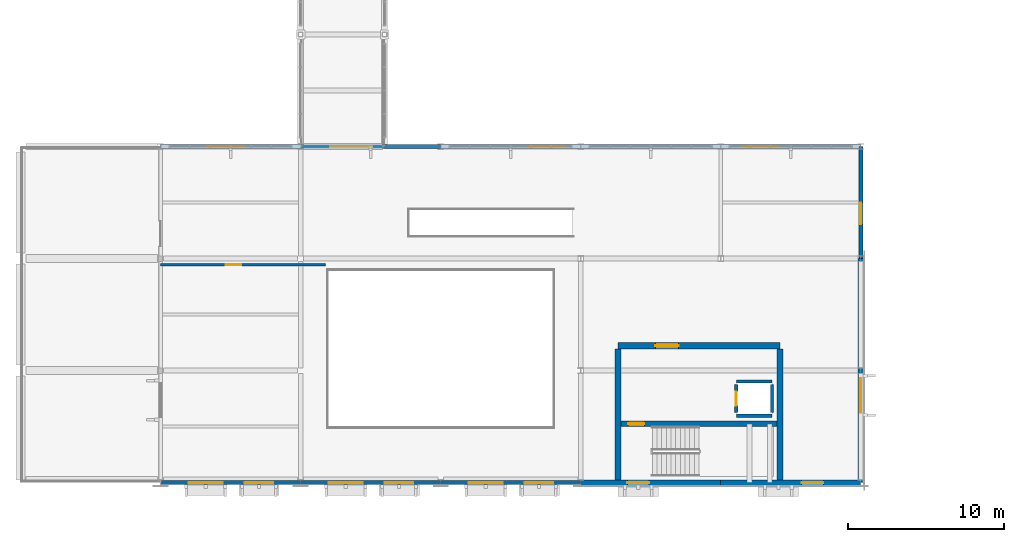
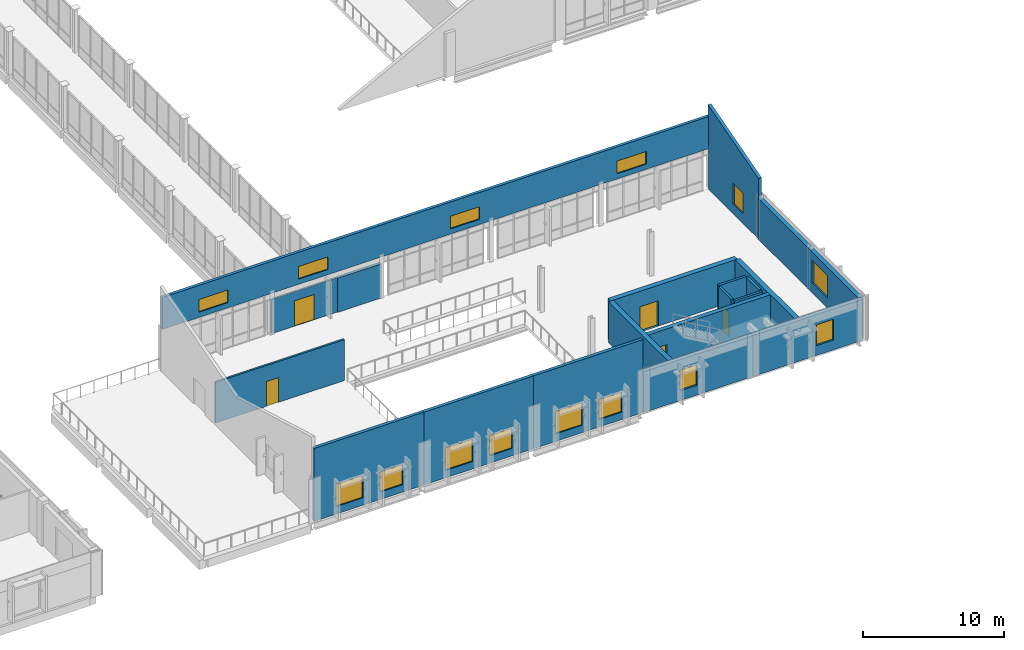
# One storey, part 57 of 85: 19 walls, 14 windows, 5 doors, 19 openings.
"""IFC4 building model written with IfcOpenShell, lengths in metres."""

from ifc_helpers import new_model, si_unit, direction, frame, frame_2d, origin, place, context, subcontext, project, spatial, polyline, rectangle, outline, extrude, material, layer, layer_set, type_object, element, fill, save


model = new_model("IFC4")

# Units and contexts
model_context = context("Model", 3, precision=1e-05, world=origin(), true_north=direction((0.0, 1.0)))
body_context = subcontext(model_context, "Body", "Model", "MODEL_VIEW")
ifc_project = project(units=[si_unit("LENGTHUNIT", "METRE"), si_unit("AREAUNIT", "SQUARE_METRE"), si_unit("VOLUMEUNIT", "CUBIC_METRE"), si_unit("PLANEANGLEUNIT", "RADIAN"), si_unit("MASSUNIT", "GRAM", prefix="KILO")], contexts=[model_context])

# Site, building, storey
site_placement = place(None, origin())
site = spatial("IfcSite", under=ifc_project, at=site_placement, CompositionType="ELEMENT")
building_placement = place(site_placement, origin())
building = spatial("IfcBuilding", under=site, at=building_placement, Name="Vervanel Yard Central Library", CompositionType="ELEMENT")
storey_placement = place(building_placement, frame((0.0, 0.0, 5.10009765625)))
storey = spatial("IfcBuildingStorey", under=building, at=storey_placement, Name="L01", CompositionType="ELEMENT", Elevation=5.10009765625)

# Wall, opening, door
ifc_material_1 = material(Name="Fire-rated gypsum board on steel studs", Category="steel")
ifc_layer_1 = layer(ifc_material_1, 0.159912109375, Category="steel")
ifc_layer_set_1 = layer_set([ifc_layer_1], Name="Fire-rated gypsum board on steel studs")
wall_type_1 = type_object("IfcWallType", Name="Acoustic Glazed Partition 160", PredefinedType="PARTITIONING", material=ifc_layer_set_1)
wall_1_placement = place(storey_placement, frame((63.0, 14.0, 0.0), z_axis=(0.0, 0.0, 1.0), x_axis=(1.0, 0.0, 0.0)))
wall_1 = element("IfcWall", 1, at=wall_1_placement, inside=storey, type_object=wall_type_1, Name="L01 Acoustic Glazed Partition 160 IPART-L01-0066", PredefinedType="PARTITIONING", context=body_context, shape_type="SweptSolid", body=[
    extrude(rectangle(XDim=10.60009765625, YDim=0.159912109375, at=frame_2d((5.300048828125, 0.0))), origin(), (0.0, 0.0, 1.0), 3.5498046875),
])
opening_1_placement = place(wall_1_placement, frame((4.199951171875, 0.0, 0.0)))
opening_1 = element("IfcOpeningElement", 2, at=opening_1_placement, cuts=wall_1, Name="Opening DR-01", PredefinedType="OPENING", context=body_context, shape_type="SweptSolid", body=[
    extrude(rectangle(XDim=1.0, YDim=2.14990234375, at=frame_2d((0.5, 1.074951171875))), frame((0.0, 0.08984375, 0.0), z_axis=(0.0, -1.0, 0.0), x_axis=(1.0, 0.0, 0.0)), (0.0, 0.0, 1.0), 0.179931640625),
])
ifc_material_2 = material(Name="Solid white oak acoustic joinery", Category="wood")
door_type_1 = type_object("IfcDoorType", Name="Interior Single Door 1000x2150", OperationType="NOTDEFINED", PredefinedType="DOOR", material=ifc_material_2)
door_1_placement = place(opening_1_placement, origin())
door_1 = element("IfcDoor", 3, at=door_1_placement, inside=storey, type_object=door_type_1, Name="L01 Interior Single Door 1000x2150 IDOOR-L01-0052", OperationType="SINGLE_SWING_RIGHT", OverallHeight=2.14990234375, OverallWidth=1.0, PredefinedType="DOOR", context=body_context, shape_type="SweptSolid", body=[
    extrude(rectangle(XDim=1.0, YDim=2.14990234375, at=frame_2d((0.5, 1.074951171875))), frame((0.0, 0.02490234375, 0.0), z_axis=(0.0, -1.0, 0.0), x_axis=(1.0, 0.0, 0.0)), (0.0, 0.0, 1.0), 0.050048828125),
])
fill(opening_1, door_1)

wall_2_placement = place(storey_placement, frame((72.0, 21.60009765625, 0.0), z_axis=(0.0, 0.0, 1.0), x_axis=(1.0, 0.0, 0.0)))
wall_2 = element("IfcWall", 4, at=wall_2_placement, inside=storey, type_object=wall_type_1, Name="L01 Acoustic Glazed Partition 160 IPART-RC2-L01-BRG-S", PredefinedType="PARTITIONING", context=body_context, shape_type="SweptSolid", body=[
    extrude(rectangle(XDim=5.39990234375, YDim=0.159912109375, at=frame_2d((2.699951171875, 0.0))), origin(), (0.0, 0.0, 1.0), 2.973876953125),
])
opening_2_placement = place(wall_2_placement, frame((1.89990234375, 0.0, 0.0)))
opening_2 = element("IfcOpeningElement", 5, at=opening_2_placement, cuts=wall_2, Name="Opening DR-04", PredefinedType="OPENING", context=body_context, shape_type="SweptSolid", body=[
    extrude(rectangle(XDim=1.60009765625, YDim=2.199951171875, at=frame_2d((0.800048828125, 1.10009765625))), frame((0.0, 0.08984375, 0.0), z_axis=(0.0, -1.0, 0.0), x_axis=(1.0, 0.0, 0.0)), (0.0, 0.0, 1.0), 0.179931640625),
])
door_type_2 = type_object("IfcDoorType", Name="Interior Double Reading Door 1600x2200", OperationType="NOTDEFINED", PredefinedType="DOOR", material=ifc_material_2)
door_2_placement = place(opening_2_placement, origin())
door_2 = element("IfcDoor", 6, at=door_2_placement, inside=storey, type_object=door_type_2, Name="L01 Interior Double Reading Door 1600x2200 IDOOR-IPART-RC2-L01-BRG-S-1", OperationType="DOUBLE_DOOR_SINGLE_SWING", OverallHeight=2.199951171875, OverallWidth=1.60009765625, PredefinedType="DOOR", context=body_context, shape_type="SweptSolid", body=[
    extrude(rectangle(XDim=1.60009765625, YDim=2.199951171875, at=frame_2d((0.800048828125, 1.10009765625))), frame((0.0, 0.02490234375, 0.0), z_axis=(0.0, -1.0, 0.0), x_axis=(1.0, 0.0, 0.0)), (0.0, 0.0, 1.0), 0.050048828125),
])
fill(opening_2, door_2)

# Wall, openings, windows
ifc_material_3 = material(Name="Concrete C40/50", Category="concrete")
ifc_layer_2 = layer(ifc_material_3, 0.260009765625, Category="concrete")
ifc_layer_set_2 = layer_set([ifc_layer_2], Name="Concrete C40/50")
wall_type_2 = type_object("IfcWallType", Name="Children's Pavilion Concrete Wall 260", PredefinedType="SOLIDWALL", material=ifc_layer_set_2)
wall_3_placement = place(storey_placement, frame((63.0, 0.0, 0.0), z_axis=(0.0, 0.0, 1.0), x_axis=(1.0, 0.0, 0.0)))
wall_3 = element("IfcWall", 7, at=wall_3_placement, inside=storey, type_object=wall_type_2, Name="L01 Children's Pavilion Concrete Wall 260 EWALL-L01-0200", PredefinedType="SOLIDWALL", context=body_context, shape_type="SweptSolid", body=[
    extrude(rectangle(XDim=9.0, YDim=0.260009765625, at=frame_2d((4.5, 0.0))), origin(), (0.0, 0.0, 1.0), 6.330810546875),
])
opening_3_placement = place(wall_3_placement, frame((1.800048828125, 0.0, 0.64990234375)))
opening_3 = element("IfcOpeningElement", 8, at=opening_3_placement, cuts=wall_3, Name="Opening WN-11", PredefinedType="OPENING", context=body_context, shape_type="SweptSolid", body=[
    extrude(rectangle(XDim=2.199951171875, YDim=1.949951171875, at=frame_2d((1.10009765625, 0.97509765625))), frame((0.0, 0.139892578125, 0.0), z_axis=(0.0, -1.0, 0.0), x_axis=(1.0, 0.0, 0.0)), (0.0, 0.0, 1.0), 0.280029296875),
])
opening_4_placement = place(wall_3_placement, frame((5.39990234375, 0.0, 0.64990234375)))
opening_4 = element("IfcOpeningElement", 9, at=opening_4_placement, cuts=wall_3, Name="Opening WN-29", PredefinedType="OPENING", context=body_context, shape_type="SweptSolid", body=[
    extrude(rectangle(XDim=1.85009765625, YDim=1.75, at=frame_2d((0.925048828125, 0.875))), frame((0.0, 0.139892578125, 0.0), z_axis=(0.0, -1.0, 0.0), x_axis=(1.0, 0.0, 0.0)), (0.0, 0.0, 1.0), 0.280029296875),
])
ifc_material_4 = material(Name="Double low-E laminated solar-control glass", Category="glass")
window_type_1 = type_object("IfcWindowType", Name="Children's Discovery Picture Window 2200x1950", PartitioningType="SINGLE_PANEL", PredefinedType="WINDOW", material=ifc_material_4)
window_1_placement = place(opening_3_placement, origin())
window_1 = element("IfcWindow", 10, at=window_1_placement, inside=storey, type_object=window_type_1, Name="L01 Children's Discovery Picture Window 2200x1950 257", OverallHeight=1.949951171875, OverallWidth=2.199951171875, PartitioningType="SINGLE_PANEL", PredefinedType="WINDOW", context=body_context, shape_type="SweptSolid", body=[
    extrude(rectangle(XDim=2.199951171875, YDim=1.949951171875, at=frame_2d((1.10009765625, 0.97509765625))), frame((0.0, 0.030029296875, 0.0), z_axis=(0.0, -1.0, 0.0), x_axis=(1.0, 0.0, 0.0)), (0.0, 0.0, 1.0), 0.06005859375),
])
fill(opening_3, window_1)
window_type_2 = type_object("IfcWindowType", Name="Children's Playroom Window 1850x1750", PartitioningType="SINGLE_PANEL", PredefinedType="WINDOW", material=ifc_material_4)
window_2_placement = place(opening_4_placement, origin())
window_2 = element("IfcWindow", 11, at=window_2_placement, inside=storey, type_object=window_type_2, Name="L01 Children's Playroom Window 1850x1750 258", OverallHeight=1.75, OverallWidth=1.85009765625, PartitioningType="SINGLE_PANEL", PredefinedType="WINDOW", context=body_context, shape_type="SweptSolid", body=[
    extrude(rectangle(XDim=1.85009765625, YDim=1.75, at=frame_2d((0.925048828125, 0.875))), frame((0.0, 0.030029296875, 0.0), z_axis=(0.0, -1.0, 0.0), x_axis=(1.0, 0.0, 0.0)), (0.0, 0.0, 1.0), 0.06005859375),
])
fill(opening_4, window_2)

wall_4_placement = place(storey_placement, frame((72.0, 0.0, 0.0), z_axis=(0.0, 0.0, 1.0), x_axis=(1.0, 0.0, 0.0)))
wall_4 = element("IfcWall", 12, at=wall_4_placement, inside=storey, type_object=wall_type_2, Name="L01 Children's Pavilion Concrete Wall 260 EWALL-L01-0201", PredefinedType="SOLIDWALL", context=body_context, shape_type="SweptSolid", body=[
    extrude(rectangle(XDim=9.0, YDim=0.260009765625, at=frame_2d((4.5, 0.0))), origin(), (0.0, 0.0, 1.0), 6.330810546875),
])
opening_5_placement = place(wall_4_placement, frame((1.800048828125, 0.0, 0.64990234375)))
opening_5 = element("IfcOpeningElement", 13, at=opening_5_placement, cuts=wall_4, Name="Opening WN-11", PredefinedType="OPENING", context=body_context, shape_type="SweptSolid", body=[
    extrude(rectangle(XDim=2.199951171875, YDim=1.949951171875, at=frame_2d((1.10009765625, 0.97509765625))), frame((0.0, 0.139892578125, 0.0), z_axis=(0.0, -1.0, 0.0), x_axis=(1.0, 0.0, 0.0)), (0.0, 0.0, 1.0), 0.280029296875),
])
opening_6_placement = place(wall_4_placement, frame((5.39990234375, 0.0, 0.64990234375)))
opening_6 = element("IfcOpeningElement", 14, at=opening_6_placement, cuts=wall_4, Name="Opening WN-29", PredefinedType="OPENING", context=body_context, shape_type="SweptSolid", body=[
    extrude(rectangle(XDim=1.85009765625, YDim=1.75, at=frame_2d((0.925048828125, 0.875))), frame((0.0, 0.139892578125, 0.0), z_axis=(0.0, -1.0, 0.0), x_axis=(1.0, 0.0, 0.0)), (0.0, 0.0, 1.0), 0.280029296875),
])
window_3_placement = place(opening_5_placement, origin())
window_3 = element("IfcWindow", 15, at=window_3_placement, inside=storey, type_object=window_type_1, Name="L01 Children's Discovery Picture Window 2200x1950 259", OverallHeight=1.949951171875, OverallWidth=2.199951171875, PartitioningType="SINGLE_PANEL", PredefinedType="WINDOW", context=body_context, shape_type="SweptSolid", body=[
    extrude(rectangle(XDim=2.199951171875, YDim=1.949951171875, at=frame_2d((1.10009765625, 0.97509765625))), frame((0.0, 0.030029296875, 0.0), z_axis=(0.0, -1.0, 0.0), x_axis=(1.0, 0.0, 0.0)), (0.0, 0.0, 1.0), 0.06005859375),
])
fill(opening_5, window_3)
window_4_placement = place(opening_6_placement, origin())
window_4 = element("IfcWindow", 16, at=window_4_placement, inside=storey, type_object=window_type_2, Name="L01 Children's Playroom Window 1850x1750 260", OverallHeight=1.75, OverallWidth=1.85009765625, PartitioningType="SINGLE_PANEL", PredefinedType="WINDOW", context=body_context, shape_type="SweptSolid", body=[
    extrude(rectangle(XDim=1.85009765625, YDim=1.75, at=frame_2d((0.925048828125, 0.875))), frame((0.0, 0.030029296875, 0.0), z_axis=(0.0, -1.0, 0.0), x_axis=(1.0, 0.0, 0.0)), (0.0, 0.0, 1.0), 0.06005859375),
])
fill(opening_6, window_4)

wall_5_placement = place(storey_placement, frame((81.0, 0.0, 0.0), z_axis=(0.0, 0.0, 1.0), x_axis=(1.0, 0.0, 0.0)))
wall_5 = element("IfcWall", 17, at=wall_5_placement, inside=storey, type_object=wall_type_2, Name="L01 Children's Pavilion Concrete Wall 260 EWALL-L01-0202", PredefinedType="SOLIDWALL", context=body_context, shape_type="SweptSolid", body=[
    extrude(rectangle(XDim=9.0, YDim=0.260009765625, at=frame_2d((4.5, 0.0))), origin(), (0.0, 0.0, 1.0), 6.330810546875),
])
opening_7_placement = place(wall_5_placement, frame((1.800048828125, 0.0, 0.64990234375)))
opening_7 = element("IfcOpeningElement", 18, at=opening_7_placement, cuts=wall_5, Name="Opening WN-11", PredefinedType="OPENING", context=body_context, shape_type="SweptSolid", body=[
    extrude(rectangle(XDim=2.199951171875, YDim=1.949951171875, at=frame_2d((1.10009765625, 0.97509765625))), frame((0.0, 0.139892578125, 0.0), z_axis=(0.0, -1.0, 0.0), x_axis=(1.0, 0.0, 0.0)), (0.0, 0.0, 1.0), 0.280029296875),
])
opening_8_placement = place(wall_5_placement, frame((5.39990234375, 0.0, 0.64990234375)))
opening_8 = element("IfcOpeningElement", 19, at=opening_8_placement, cuts=wall_5, Name="Opening WN-29", PredefinedType="OPENING", context=body_context, shape_type="SweptSolid", body=[
    extrude(rectangle(XDim=1.85009765625, YDim=1.75, at=frame_2d((0.925048828125, 0.875))), frame((0.0, 0.139892578125, 0.0), z_axis=(0.0, -1.0, 0.0), x_axis=(1.0, 0.0, 0.0)), (0.0, 0.0, 1.0), 0.280029296875),
])
window_5_placement = place(opening_7_placement, origin())
window_5 = element("IfcWindow", 20, at=window_5_placement, inside=storey, type_object=window_type_1, Name="L01 Children's Discovery Picture Window 2200x1950 261", OverallHeight=1.949951171875, OverallWidth=2.199951171875, PartitioningType="SINGLE_PANEL", PredefinedType="WINDOW", context=body_context, shape_type="SweptSolid", body=[
    extrude(rectangle(XDim=2.199951171875, YDim=1.949951171875, at=frame_2d((1.10009765625, 0.97509765625))), frame((0.0, 0.030029296875, 0.0), z_axis=(0.0, -1.0, 0.0), x_axis=(1.0, 0.0, 0.0)), (0.0, 0.0, 1.0), 0.06005859375),
])
fill(opening_7, window_5)
window_6_placement = place(opening_8_placement, origin())
window_6 = element("IfcWindow", 21, at=window_6_placement, inside=storey, type_object=window_type_2, Name="L01 Children's Playroom Window 1850x1750 262", OverallHeight=1.75, OverallWidth=1.85009765625, PartitioningType="SINGLE_PANEL", PredefinedType="WINDOW", context=body_context, shape_type="SweptSolid", body=[
    extrude(rectangle(XDim=1.85009765625, YDim=1.75, at=frame_2d((0.925048828125, 0.875))), frame((0.0, 0.030029296875, 0.0), z_axis=(0.0, -1.0, 0.0), x_axis=(1.0, 0.0, 0.0)), (0.0, 0.0, 1.0), 0.06005859375),
])
fill(opening_8, window_6)

# Wall, opening, window
wall_6_placement = place(storey_placement, frame((108.0, 14.39990234375, 0.0), z_axis=(0.0, 0.0, 1.0), x_axis=(0.0, 1.0, 0.0)))
wall_6 = element("IfcWall", 22, at=wall_6_placement, inside=storey, type_object=wall_type_2, Name="L01 Children's Pavilion Concrete Wall 260 EWALL-L01-0208", PredefinedType="SOLIDWALL", context=body_context, shape_type="SweptSolid", body=[
    extrude(outline(polyline([(0.0, 0.0), (7.2001953125, 0.0), (7.199951171875, 7.296875), (0.0, 5.232177734375), (0.0, 0.0)])), frame((0.0, 0.1298828125, 0.0), z_axis=(0.0, -1.0, 0.0), x_axis=(1.0, 0.0, 0.0)), (0.0, 0.0, 1.0), 0.260009765625),
])
opening_9_placement = place(wall_6_placement, frame((2.199951171875, 0.0, 0.85009765625)))
opening_9 = element("IfcOpeningElement", 23, at=opening_9_placement, cuts=wall_6, Name="Opening WN-12", PredefinedType="OPENING", context=body_context, shape_type="SweptSolid", body=[
    extrude(rectangle(XDim=1.39990234375, YDim=1.800048828125, at=frame_2d((0.699951171875, 0.89990234375))), frame((0.0, 0.139892578125, 0.0), z_axis=(0.0, -1.0, 0.0), x_axis=(1.0, 0.0, 0.0)), (0.0, 0.0, 1.0), 0.280029296875),
])
window_type_3 = type_object("IfcWindowType", Name="Children's Low Sill Window 1400x1800", PartitioningType="SINGLE_PANEL", PredefinedType="WINDOW", material=ifc_material_4)
window_7_placement = place(opening_9_placement, origin())
window_7 = element("IfcWindow", 24, at=window_7_placement, inside=storey, type_object=window_type_3, Name="L01 Children's Low Sill Window 1400x1800 271", OverallHeight=1.800048828125, OverallWidth=1.39990234375, PartitioningType="SINGLE_PANEL", PredefinedType="WINDOW", context=body_context, shape_type="SweptSolid", body=[
    extrude(rectangle(XDim=1.39990234375, YDim=1.800048828125, at=frame_2d((0.699951171875, 0.89990234375))), frame((0.0, 0.030029296875, 0.0), z_axis=(0.0, -1.0, 0.0), x_axis=(1.0, 0.0, 0.0)), (0.0, 0.0, 1.0), 0.06005859375),
])
fill(opening_9, window_7)

# Wall
wall_7_placement = place(storey_placement, frame((77.39990234375, 21.60009765625, 0.0), z_axis=(0.0, 0.0, 1.0), x_axis=(1.0, 0.0, 0.0)))
element("IfcWall", 25, at=wall_7_placement, inside=storey, type_object=wall_type_2, Name="L01 V5 Bridge Adjoining Exterior Wall", PredefinedType="SOLIDWALL", context=body_context, shape_type="SweptSolid", body=[
    extrude(rectangle(XDim=3.60009765625, YDim=0.260009765625, at=frame_2d((1.800048828125, 0.0))), origin(), (0.0, 0.0, 1.0), 2.973876953125),
])

# Wall, opening, door
ifc_material_5 = material(Name="Concrete C45/55", Category="concrete")
ifc_layer_3 = layer(ifc_material_5, 0.39990234375, Category="concrete")
ifc_layer_set_3 = layer_set([ifc_layer_3], Name="Concrete C45/55")
wall_type_3 = type_object("IfcWallType", Name="Core Primary Shear Wall 400", PredefinedType="SHEAR", material=ifc_layer_set_3)
wall_8_placement = place(storey_placement, frame((92.39990234375, 8.800048828125, 0.0), z_axis=(0.0, 0.0, 1.0), x_axis=(1.0, 0.0, 0.0)))
wall_8 = element("IfcWall", 26, at=wall_8_placement, inside=storey, type_object=wall_type_3, Name="L01 CORE-F Shear Wall N", PredefinedType="SHEAR", context=body_context, shape_type="SweptSolid", body=[
    extrude(rectangle(XDim=10.400146484375, YDim=0.39990234375, at=frame_2d((5.2001953125, 0.0))), origin(), (0.0, 0.0, 1.0), 3.5498046875),
])
opening_10_placement = place(wall_8_placement, frame((2.39990234375, 0.0, 0.0)))
opening_10 = element("IfcOpeningElement", 27, at=opening_10_placement, cuts=wall_8, Name="Opening DR-F02", PredefinedType="OPENING", context=body_context, shape_type="SweptSolid", body=[
    extrude(rectangle(XDim=1.5, YDim=2.199951171875, at=frame_2d((0.75, 1.10009765625))), frame((0.0, 0.2099609375, 0.0), z_axis=(0.0, -1.0, 0.0), x_axis=(1.0, 0.0, 0.0)), (0.0, 0.0, 1.0), 0.419921875),
])
ifc_material_6 = material(Name="Galvanized painted steelwork ASTM A500 Grade C", Category="steel")
door_type_3 = type_object("IfcDoorType", Name="Fire-Rated Lobby Door 1500x2200", OperationType="NOTDEFINED", PredefinedType="DOOR", material=ifc_material_6)
door_3_placement = place(opening_10_placement, origin())
door_3 = element("IfcDoor", 28, at=door_3_placement, inside=storey, type_object=door_type_3, Name="L01 CORE-F Lobby Fire Door", OperationType="DOUBLE_DOOR_SINGLE_SWING", OverallHeight=2.199951171875, OverallWidth=1.5, PredefinedType="DOOR", context=body_context, shape_type="SweptSolid", body=[
    extrude(rectangle(XDim=1.5, YDim=2.199951171875, at=frame_2d((0.75, 1.10009765625))), frame((0.0, 0.02490234375, 0.0), z_axis=(0.0, -1.0, 0.0), x_axis=(1.0, 0.0, 0.0)), (0.0, 0.0, 1.0), 0.050048828125),
])
fill(opening_10, door_3)

# Walls
for number, where, z_axis, x_axis, name in (
    (29, (92.39990234375, 0.169921875, 0.0), (0.0, 0.0, 1.0), (0.0, 1.0, 0.0), "L01 CORE-F Shear Wall W"),
    (30, (102.800048828125, 0.169921875, 0.0), (0.0, 0.0, 1.0), (0.0, 1.0, 0.0), "L01 CORE-F Shear Wall E"),
):
    element("IfcWall", number, at=place(storey_placement, frame(where, z_axis=z_axis, x_axis=x_axis)), inside=storey, type_object=wall_type_3, Name=name, PredefinedType="SHEAR", context=body_context, shape_type="SweptSolid", body=[
        extrude(rectangle(XDim=8.43017578125, YDim=0.39990234375, at=frame_2d((4.215087890625, 0.0))), origin(), (0.0, 0.0, 1.0), 3.5498046875),
    ])

# Wall, opening, door
ifc_layer_4 = layer(ifc_material_5, 0.35009765625, Category="concrete")
ifc_layer_set_4 = layer_set([ifc_layer_4], Name="Concrete C45/55")
wall_type_4 = type_object("IfcWallType", Name="Core Secondary Shear Wall 350", PredefinedType="SHEAR", material=ifc_layer_set_4)
wall_9_placement = place(storey_placement, frame((92.60009765625, 3.77490234375, 0.0), z_axis=(0.0, 0.0, 1.0), x_axis=(1.0, 0.0, 0.0)))
wall_9 = element("IfcWall", 31, at=wall_9_placement, inside=storey, type_object=wall_type_4, Name="L01 CORE-F Stair Shaft Wall", PredefinedType="SHEAR", context=body_context, shape_type="SweptSolid", body=[
    extrude(rectangle(XDim=10.0, YDim=0.35009765625, at=frame_2d((5.0, 0.0))), origin(), (0.0, 0.0, 1.0), 3.5498046875),
])
opening_11_placement = place(wall_9_placement, frame((0.449951171875, 0.0, 0.0)))
opening_11 = element("IfcOpeningElement", 32, at=opening_11_placement, cuts=wall_9, Name="Opening DR-F01", PredefinedType="OPENING", context=body_context, shape_type="SweptSolid", body=[
    extrude(rectangle(XDim=1.050048828125, YDim=2.199951171875, at=frame_2d((0.52490234375, 1.10009765625))), frame((0.0, 0.18505859375, 0.0), z_axis=(0.0, -1.0, 0.0), x_axis=(1.0, 0.0, 0.0)), (0.0, 0.0, 1.0), 0.3701171875),
])
door_type_4 = type_object("IfcDoorType", Name="Fire-Rated Stair Exit Door 1050x2200", OperationType="NOTDEFINED", PredefinedType="DOOR", material=ifc_material_6)
door_4_placement = place(opening_11_placement, origin())
door_4 = element("IfcDoor", 33, at=door_4_placement, inside=storey, type_object=door_type_4, Name="L01 CORE-F Stair Door", OperationType="SINGLE_SWING_RIGHT", OverallHeight=2.199951171875, OverallWidth=1.050048828125, PredefinedType="DOOR", context=body_context, shape_type="SweptSolid", body=[
    extrude(rectangle(XDim=1.050048828125, YDim=2.199951171875, at=frame_2d((0.52490234375, 1.10009765625))), frame((0.0, 0.02490234375, 0.0), z_axis=(0.0, -1.0, 0.0), x_axis=(1.0, 0.0, 0.0)), (0.0, 0.0, 1.0), 0.050048828125),
])
fill(opening_11, door_4)

# Wall, opening, window
ifc_layer_5 = layer(ifc_material_5, 0.340087890625, Category="concrete")
ifc_layer_set_5 = layer_set([ifc_layer_5], Name="Concrete C45/55")
wall_type_5 = type_object("IfcWallType", Name="Exterior Bearing Concrete Frame Wall 340", PredefinedType="SOLIDWALL", material=ifc_layer_set_5)
wall_10_placement = place(storey_placement, frame((90.0, 0.0, 0.0), z_axis=(0.0, 0.0, 1.0), x_axis=(1.0, 0.0, 0.0)))
wall_10 = element("IfcWall", 34, at=wall_10_placement, inside=storey, type_object=wall_type_5, Name="L01 Exterior Bearing Concrete Frame Wall 340 EWALL-L01-0203", PredefinedType="SOLIDWALL", context=body_context, shape_type="SweptSolid", body=[
    extrude(rectangle(XDim=9.0, YDim=0.340087890625, at=frame_2d((4.5, 0.0))), origin(), (0.0, 0.0, 1.0), 3.5498046875),
])
opening_12_placement = place(wall_10_placement, frame((3.0, 0.0, 0.85009765625)))
opening_12 = element("IfcOpeningElement", 35, at=opening_12_placement, cuts=wall_10, Name="Opening WN-12", PredefinedType="OPENING", context=body_context, shape_type="SweptSolid", body=[
    extrude(rectangle(XDim=1.39990234375, YDim=1.800048828125, at=frame_2d((0.699951171875, 0.89990234375))), frame((0.0, 0.179931640625, 0.0), z_axis=(0.0, -1.0, 0.0), x_axis=(1.0, 0.0, 0.0)), (0.0, 0.0, 1.0), 0.360107421875),
])
window_8_placement = place(opening_12_placement, origin())
window_8 = element("IfcWindow", 36, at=window_8_placement, inside=storey, type_object=window_type_3, Name="L01 Children's Low Sill Window 1400x1800 263", OverallHeight=1.800048828125, OverallWidth=1.39990234375, PartitioningType="SINGLE_PANEL", PredefinedType="WINDOW", context=body_context, shape_type="SweptSolid", body=[
    extrude(rectangle(XDim=1.39990234375, YDim=1.800048828125, at=frame_2d((0.699951171875, 0.89990234375))), frame((0.0, 0.030029296875, 0.0), z_axis=(0.0, -1.0, 0.0), x_axis=(1.0, 0.0, 0.0)), (0.0, 0.0, 1.0), 0.06005859375),
])
fill(opening_12, window_8)

wall_11_placement = place(storey_placement, frame((99.0, 0.0, 0.0), z_axis=(0.0, 0.0, 1.0), x_axis=(1.0, 0.0, 0.0)))
wall_11 = element("IfcWall", 37, at=wall_11_placement, inside=storey, type_object=wall_type_5, Name="L01 Exterior Bearing Concrete Frame Wall 340 EWALL-L01-0204", PredefinedType="SOLIDWALL", context=body_context, shape_type="SweptSolid", body=[
    extrude(rectangle(XDim=9.0, YDim=0.340087890625, at=frame_2d((4.5, 0.0))), origin(), (0.0, 0.0, 1.0), 3.5498046875),
])
opening_13_placement = place(wall_11_placement, frame((5.199951171875, 0.0, 0.85009765625)))
opening_13 = element("IfcOpeningElement", 38, at=opening_13_placement, cuts=wall_11, Name="Opening WN-12", PredefinedType="OPENING", context=body_context, shape_type="SweptSolid", body=[
    extrude(rectangle(XDim=1.39990234375, YDim=1.800048828125, at=frame_2d((0.699951171875, 0.89990234375))), frame((0.0, 0.179931640625, 0.0), z_axis=(0.0, -1.0, 0.0), x_axis=(1.0, 0.0, 0.0)), (0.0, 0.0, 1.0), 0.360107421875),
])
window_9_placement = place(opening_13_placement, origin())
window_9 = element("IfcWindow", 39, at=window_9_placement, inside=storey, type_object=window_type_3, Name="L01 Children's Low Sill Window 1400x1800 264", OverallHeight=1.800048828125, OverallWidth=1.39990234375, PartitioningType="SINGLE_PANEL", PredefinedType="WINDOW", context=body_context, shape_type="SweptSolid", body=[
    extrude(rectangle(XDim=1.39990234375, YDim=1.800048828125, at=frame_2d((0.699951171875, 0.89990234375))), frame((0.0, 0.030029296875, 0.0), z_axis=(0.0, -1.0, 0.0), x_axis=(1.0, 0.0, 0.0)), (0.0, 0.0, 1.0), 0.06005859375),
])
fill(opening_13, window_9)

wall_12_placement = place(storey_placement, frame((108.0, 0.0, 0.0), z_axis=(0.0, 0.0, 1.0), x_axis=(0.0, 1.0, 0.0)))
wall_12 = element("IfcWall", 40, at=wall_12_placement, inside=storey, type_object=wall_type_5, Name="L01 Exterior Bearing Concrete Frame Wall 340 EWALL-L01-0207", PredefinedType="SOLIDWALL", context=body_context, shape_type="SweptSolid", body=[
    extrude(rectangle(XDim=14.39990234375, YDim=0.340087890625, at=frame_2d((7.199951171875, 0.0))), origin(), (0.0, 0.0, 1.0), 3.5498046875),
])
opening_14_placement = place(wall_12_placement, frame((4.5, 0.0, 0.85009765625)))
opening_14 = element("IfcOpeningElement", 41, at=opening_14_placement, cuts=wall_12, Name="Opening WN-11", PredefinedType="OPENING", context=body_context, shape_type="SweptSolid", body=[
    extrude(rectangle(XDim=2.199951171875, YDim=1.949951171875, at=frame_2d((1.10009765625, 0.97509765625))), frame((0.0, 0.179931640625, 0.0), z_axis=(0.0, -1.0, 0.0), x_axis=(1.0, 0.0, 0.0)), (0.0, 0.0, 1.0), 0.360107421875),
])
window_10_placement = place(opening_14_placement, origin())
window_10 = element("IfcWindow", 42, at=window_10_placement, inside=storey, type_object=window_type_1, Name="L01 Children's Discovery Picture Window 2200x1950 270", OverallHeight=1.949951171875, OverallWidth=2.199951171875, PartitioningType="SINGLE_PANEL", PredefinedType="WINDOW", context=body_context, shape_type="SweptSolid", body=[
    extrude(rectangle(XDim=2.199951171875, YDim=1.949951171875, at=frame_2d((1.10009765625, 0.97509765625))), frame((0.0, 0.030029296875, 0.0), z_axis=(0.0, -1.0, 0.0), x_axis=(1.0, 0.0, 0.0)), (0.0, 0.0, 1.0), 0.06005859375),
])
fill(opening_14, window_10)

# Wall, openings, windows
ifc_layer_6 = layer(ifc_material_3, 0.239990234375, Category="concrete")
ifc_layer_set_6 = layer_set([ifc_layer_6], Name="Concrete C40/50")
wall_type_6 = type_object("IfcWallType", Name="Monitor Clerestory Apron Wall 240", PredefinedType="SOLIDWALL", material=ifc_layer_set_6)
wall_13_placement = place(storey_placement, frame((63.0, 21.60009765625, 3.5498046875), z_axis=(0.0, 0.0, 1.0), x_axis=(1.0, 0.0, 0.0)))
wall_13 = element("IfcWall", 43, at=wall_13_placement, inside=storey, type_object=wall_type_6, Name="L01 Monitor Clerestory Apron Wall 240 EWALL-L01-0205", PredefinedType="SOLIDWALL", context=body_context, shape_type="SweptSolid", body=[
    extrude(rectangle(XDim=45.0, YDim=0.239990234375, at=frame_2d((22.5, 0.0))), origin(), (0.0, 0.0, 1.0), 2.781005859375),
])
opening_15_placement = place(wall_13_placement, frame((3.0, 0.0, 0.449951171875)))
opening_15 = element("IfcOpeningElement", 44, at=opening_15_placement, cuts=wall_13, Name="Opening WN-06", PredefinedType="OPENING", context=body_context, shape_type="SweptSolid", body=[
    extrude(rectangle(XDim=2.39990234375, YDim=1.10009765625, at=frame_2d((1.199951171875, 0.550048828125))), frame((0.0, 0.1298828125, 0.0), z_axis=(0.0, -1.0, 0.0), x_axis=(1.0, 0.0, 0.0)), (0.0, 0.0, 1.0), 0.260009765625),
])
opening_16_placement = place(wall_13_placement, frame((11.199951171875, 0.0, 0.449951171875)))
opening_16 = element("IfcOpeningElement", 45, at=opening_16_placement, cuts=wall_13, Name="Opening WN-06", PredefinedType="OPENING", context=body_context, shape_type="SweptSolid", body=[
    extrude(rectangle(XDim=2.39990234375, YDim=1.10009765625, at=frame_2d((1.199951171875, 0.550048828125))), frame((0.0, 0.1298828125, 0.0), z_axis=(0.0, -1.0, 0.0), x_axis=(1.0, 0.0, 0.0)), (0.0, 0.0, 1.0), 0.260009765625),
])
opening_17_placement = place(wall_13_placement, frame((23.64990234375, 0.0, 0.449951171875)))
opening_17 = element("IfcOpeningElement", 46, at=opening_17_placement, cuts=wall_13, Name="Opening WN-06", PredefinedType="OPENING", context=body_context, shape_type="SweptSolid", body=[
    extrude(rectangle(XDim=2.39990234375, YDim=1.10009765625, at=frame_2d((1.199951171875, 0.550048828125))), frame((0.0, 0.1298828125, 0.0), z_axis=(0.0, -1.0, 0.0), x_axis=(1.0, 0.0, 0.0)), (0.0, 0.0, 1.0), 0.260009765625),
])
opening_18_placement = place(wall_13_placement, frame((37.35009765625, 0.0, 0.449951171875)))
opening_18 = element("IfcOpeningElement", 47, at=opening_18_placement, cuts=wall_13, Name="Opening WN-06", PredefinedType="OPENING", context=body_context, shape_type="SweptSolid", body=[
    extrude(rectangle(XDim=2.39990234375, YDim=1.10009765625, at=frame_2d((1.199951171875, 0.550048828125))), frame((0.0, 0.1298828125, 0.0), z_axis=(0.0, -1.0, 0.0), x_axis=(1.0, 0.0, 0.0)), (0.0, 0.0, 1.0), 0.260009765625),
])
window_type_4 = type_object("IfcWindowType", Name="Stack Clerestory Ribbon Window 2400x1100", PartitioningType="SINGLE_PANEL", PredefinedType="WINDOW", material=ifc_material_4)
window_11_placement = place(opening_15_placement, origin())
window_11 = element("IfcWindow", 48, at=window_11_placement, inside=storey, type_object=window_type_4, Name="L01 Stack Clerestory Ribbon Window 2400x1100 265", OverallHeight=1.10009765625, OverallWidth=2.39990234375, PartitioningType="SINGLE_PANEL", PredefinedType="WINDOW", context=body_context, shape_type="SweptSolid", body=[
    extrude(rectangle(XDim=2.39990234375, YDim=1.10009765625, at=frame_2d((1.199951171875, 0.550048828125))), frame((0.0, 0.030029296875, 0.0), z_axis=(0.0, -1.0, 0.0), x_axis=(1.0, 0.0, 0.0)), (0.0, 0.0, 1.0), 0.06005859375),
])
fill(opening_15, window_11)
window_12_placement = place(opening_16_placement, origin())
window_12 = element("IfcWindow", 49, at=window_12_placement, inside=storey, type_object=window_type_4, Name="L01 Stack Clerestory Ribbon Window 2400x1100 266", OverallHeight=1.10009765625, OverallWidth=2.39990234375, PartitioningType="SINGLE_PANEL", PredefinedType="WINDOW", context=body_context, shape_type="SweptSolid", body=[
    extrude(rectangle(XDim=2.39990234375, YDim=1.10009765625, at=frame_2d((1.199951171875, 0.550048828125))), frame((0.0, 0.030029296875, 0.0), z_axis=(0.0, -1.0, 0.0), x_axis=(1.0, 0.0, 0.0)), (0.0, 0.0, 1.0), 0.06005859375),
])
fill(opening_16, window_12)
window_13_placement = place(opening_17_placement, origin())
window_13 = element("IfcWindow", 50, at=window_13_placement, inside=storey, type_object=window_type_4, Name="L01 Stack Clerestory Ribbon Window 2400x1100 267", OverallHeight=1.10009765625, OverallWidth=2.39990234375, PartitioningType="SINGLE_PANEL", PredefinedType="WINDOW", context=body_context, shape_type="SweptSolid", body=[
    extrude(rectangle(XDim=2.39990234375, YDim=1.10009765625, at=frame_2d((1.199951171875, 0.550048828125))), frame((0.0, 0.030029296875, 0.0), z_axis=(0.0, -1.0, 0.0), x_axis=(1.0, 0.0, 0.0)), (0.0, 0.0, 1.0), 0.06005859375),
])
fill(opening_17, window_13)
window_14_placement = place(opening_18_placement, origin())
window_14 = element("IfcWindow", 51, at=window_14_placement, inside=storey, type_object=window_type_4, Name="L01 Stack Clerestory Ribbon Window 2400x1100 268", OverallHeight=1.10009765625, OverallWidth=2.39990234375, PartitioningType="SINGLE_PANEL", PredefinedType="WINDOW", context=body_context, shape_type="SweptSolid", body=[
    extrude(rectangle(XDim=2.39990234375, YDim=1.10009765625, at=frame_2d((1.199951171875, 0.550048828125))), frame((0.0, 0.030029296875, 0.0), z_axis=(0.0, -1.0, 0.0), x_axis=(1.0, 0.0, 0.0)), (0.0, 0.0, 1.0), 0.06005859375),
])
fill(opening_18, window_14)

# Walls
ifc_layer_7 = layer(ifc_material_3, 0.199951171875, Category="concrete")
ifc_layer_set_7 = layer_set([ifc_layer_7], Name="Concrete C40/50")
wall_type_7 = type_object("IfcWallType", Name="Shaft & Plant Rated Wall 200", PredefinedType="PARTITIONING", material=ifc_layer_set_7)
for number, where, z_axis, x_axis, name in (
    (52, (100.0, 4.300048828125, 0.0), (0.0, 0.0, 1.0), (1.0, 0.0, 0.0), "L01 CORE-F-L01-RIS Shaft Wall S"),
    (53, (100.0, 6.5, 0.0), (0.0, 0.0, 1.0), (1.0, 0.0, 0.0), "L01 CORE-F-L01-RIS Shaft Wall N"),
):
    element("IfcWall", number, at=place(storey_placement, frame(where, z_axis=z_axis, x_axis=x_axis)), inside=storey, type_object=wall_type_7, Name=name, PredefinedType="PARTITIONING", context=body_context, shape_type="SweptSolid", body=[
        extrude(rectangle(XDim=2.300048828125, YDim=0.199951171875, at=frame_2d((1.14990234375, 0.0))), origin(), (0.0, 0.0, 1.0), 3.5498046875),
    ])

# Wall, opening, door
wall_14_placement = place(storey_placement, frame((100.0, 4.5, 0.0), z_axis=(0.0, 0.0, 1.0), x_axis=(0.0, 1.0, 0.0)))
wall_14 = element("IfcWall", 54, at=wall_14_placement, inside=storey, type_object=wall_type_7, Name="L01 CORE-F-L01-RIS Shaft Wall W", PredefinedType="PARTITIONING", context=body_context, shape_type="SweptSolid", body=[
    extrude(rectangle(XDim=1.800048828125, YDim=0.199951171875, at=frame_2d((0.89990234375, 0.0))), origin(), (0.0, 0.0, 1.0), 3.5498046875),
])
opening_19_placement = place(wall_14_placement, frame((0.449951171875, 0.0, 0.0)))
opening_19 = element("IfcOpeningElement", 55, at=opening_19_placement, cuts=wall_14, Name="Opening DR-03", PredefinedType="OPENING", context=body_context, shape_type="SweptSolid", body=[
    extrude(rectangle(XDim=0.89990234375, YDim=2.10009765625, at=frame_2d((0.449951171875, 1.050048828125))), frame((0.0, 0.10986328125, 0.0), z_axis=(0.0, -1.0, 0.0), x_axis=(1.0, 0.0, 0.0)), (0.0, 0.0, 1.0), 0.219970703125),
])
door_type_5 = type_object("IfcDoorType", Name="Interior Riser Access Door 900x2100", OperationType="NOTDEFINED", PredefinedType="DOOR", material=ifc_material_6)
door_5_placement = place(opening_19_placement, origin())
door_5 = element("IfcDoor", 56, at=door_5_placement, inside=storey, type_object=door_type_5, Name="L01 CORE-F Riser Access Door", OperationType="SINGLE_SWING_LEFT", OverallHeight=2.10009765625, OverallWidth=0.89990234375, PredefinedType="DOOR", context=body_context, shape_type="SweptSolid", body=[
    extrude(rectangle(XDim=0.89990234375, YDim=2.10009765625, at=frame_2d((0.449951171875, 1.050048828125))), frame((0.0, 0.02490234375, 0.0), z_axis=(0.0, -1.0, 0.0), x_axis=(1.0, 0.0, 0.0)), (0.0, 0.0, 1.0), 0.050048828125),
])
fill(opening_19, door_5)

# Wall
wall_15_placement = place(storey_placement, frame((102.300048828125, 4.5, 0.0), z_axis=(0.0, 0.0, 1.0), x_axis=(0.0, 1.0, 0.0)))
element("IfcWall", 57, at=wall_15_placement, inside=storey, type_object=wall_type_7, Name="L01 CORE-F-L01-RIS Shaft Wall E", PredefinedType="PARTITIONING", context=body_context, shape_type="SweptSolid", body=[
    extrude(rectangle(XDim=1.800048828125, YDim=0.199951171875, at=frame_2d((0.89990234375, 0.0))), origin(), (0.0, 0.0, 1.0), 3.5498046875),
])

save(model, "model.ifc")
